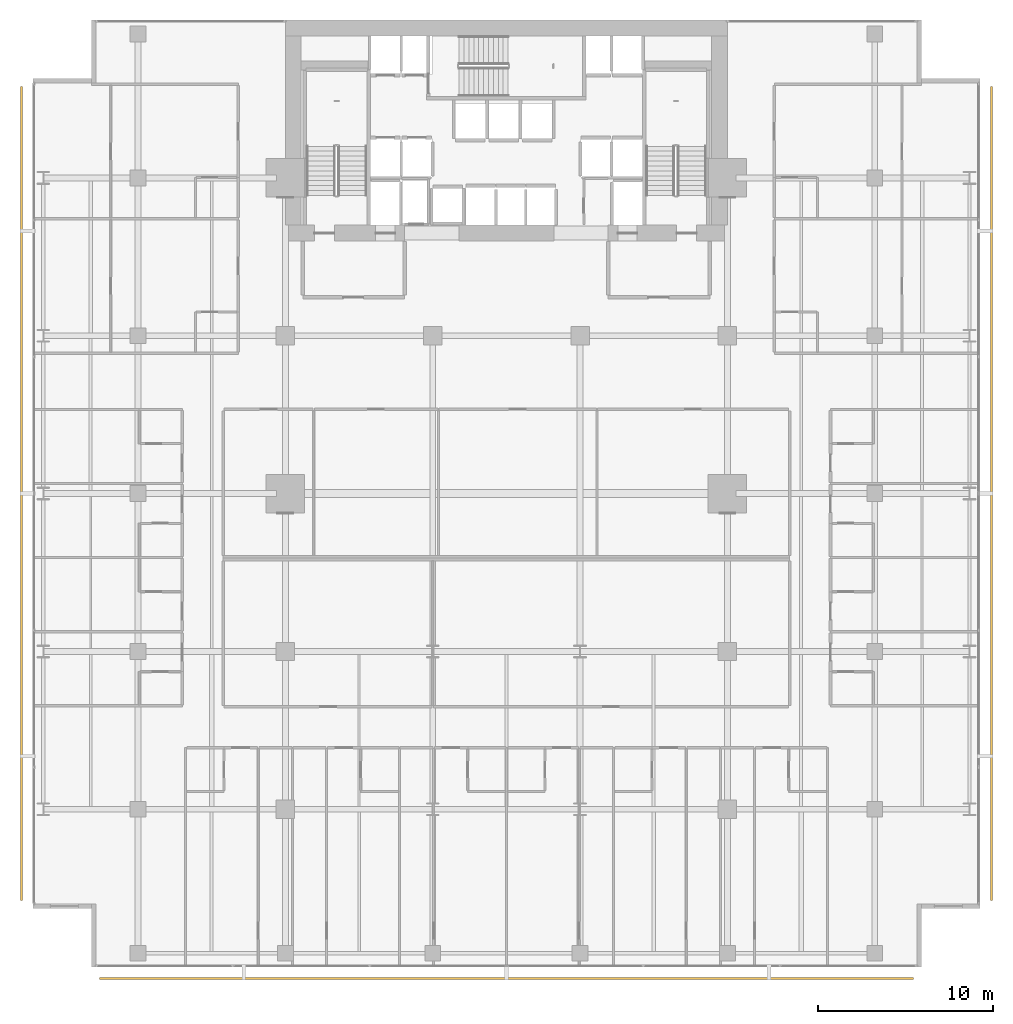
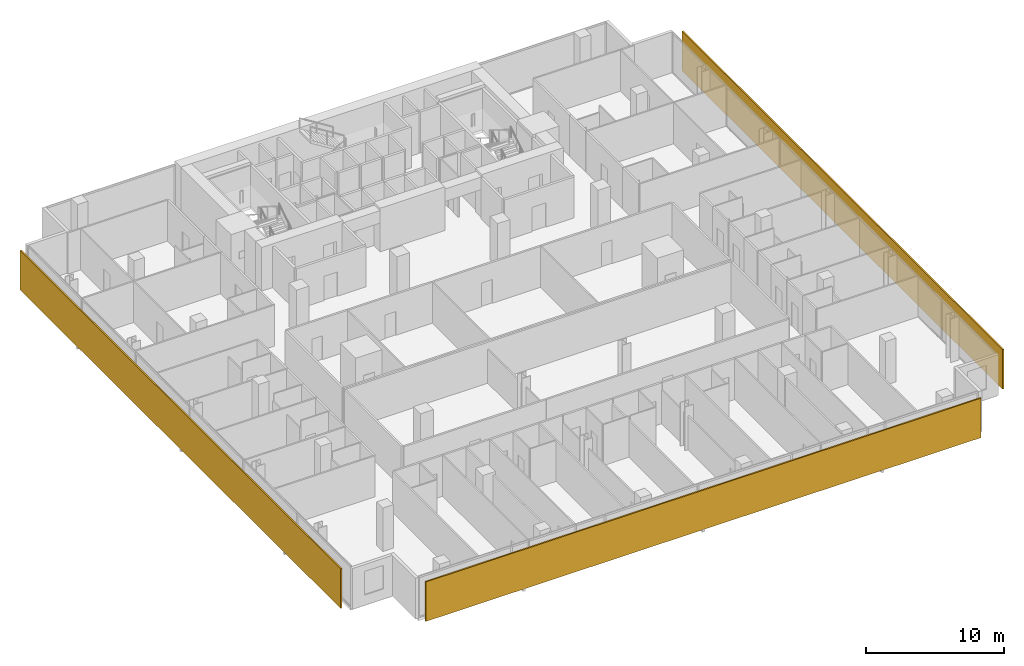
# One storey, part 39 of 40: 3 shading devices.
"""IFC4 building model written with IfcOpenShell, lengths in metres."""

from ifc_helpers import new_model, si_unit, direction, frame, origin, origin_2d, place, context, subcontext, project, spatial, rectangle, extrude, material, layer, layer_set, type_object, element, save


model = new_model("IFC4")

# Units and contexts
model_context = context("Model", 3, precision=1e-05, world=origin(), true_north=direction((0.0, 1.0)))
body_context = subcontext(model_context, "Body", "Model", "MODEL_VIEW")
ifc_project = project(units=[si_unit("LENGTHUNIT", "METRE"), si_unit("AREAUNIT", "SQUARE_METRE"), si_unit("VOLUMEUNIT", "CUBIC_METRE"), si_unit("PLANEANGLEUNIT", "RADIAN"), si_unit("MASSUNIT", "GRAM", prefix="KILO")], contexts=[model_context])

# Site, building, storey
site_placement = place(None, origin())
site = spatial("IfcSite", under=ifc_project, at=site_placement, CompositionType="ELEMENT")
building_placement = place(site_placement, origin())
building = spatial("IfcBuilding", under=site, at=building_placement, Name="Maruvema Waterfront Hotel and Observation Tower", CompositionType="ELEMENT")
storey_placement = place(building_placement, frame((0.0, 0.0, 34.64990234375)))
storey = spatial("IfcBuildingStorey", under=building, at=storey_placement, Name="L07", CompositionType="ELEMENT", Elevation=34.64990234375)

# Shading devices
ifc_material = material(Name="Honed travertine stone and anodised architectural bronze", Category="masonry")
ifc_layer = layer(ifc_material, 0.1201171875, Name="Ventilated Outer Skin Cobogo Stone-and-Bronze Screen 120 mm")
ifc_layer_set = layer_set([ifc_layer], Name="Honed travertine stone and anodised architectural bronze")
shading_device_type = type_object("IfcShadingDeviceType", Name="Ventilated Outer Skin Cobogo Stone-and-Bronze Screen 120 mm", PredefinedType="USERDEFINED", material=ifc_layer_set)
for number, where, z_axis, x_axis, name in (
    (1, (37.800048828125, -0.64990234375, 0.06005859375), (0.0, 0.0, 1.0), (1.0, 0.0, 0.0), "L07 Ventilated Double-Skin Outer Cobogo Screen OS-L07-S"),
    (2, (65.449951171875, 27.0, 0.06005859375), (0.0, 0.0, 1.0), (0.0, 1.0, 0.0), "L07 Ventilated Double-Skin Outer Cobogo Screen OS-L07-E"),
    (3, (10.14990234375, 27.0, 0.06005859375), (0.0, 0.0, 1.0), (0.0, -1.0, 0.0), "L07 Ventilated Double-Skin Outer Cobogo Screen OS-L07-W"),
):
    element("IfcShadingDevice", number, at=place(storey_placement, frame(where, z_axis=z_axis, x_axis=x_axis)), inside=storey, type_object=shading_device_type, Name=name, ObjectType="OUTER SKIN SCREEN", PredefinedType="USERDEFINED", context=body_context, shape_type="SweptSolid", body=[
        extrude(rectangle(XDim=46.39990234375, YDim=0.1201171875, at=origin_2d()), origin(), (0.0, 0.0, 1.0), 3.489990234375),
    ])

save(model, "model.ifc")
